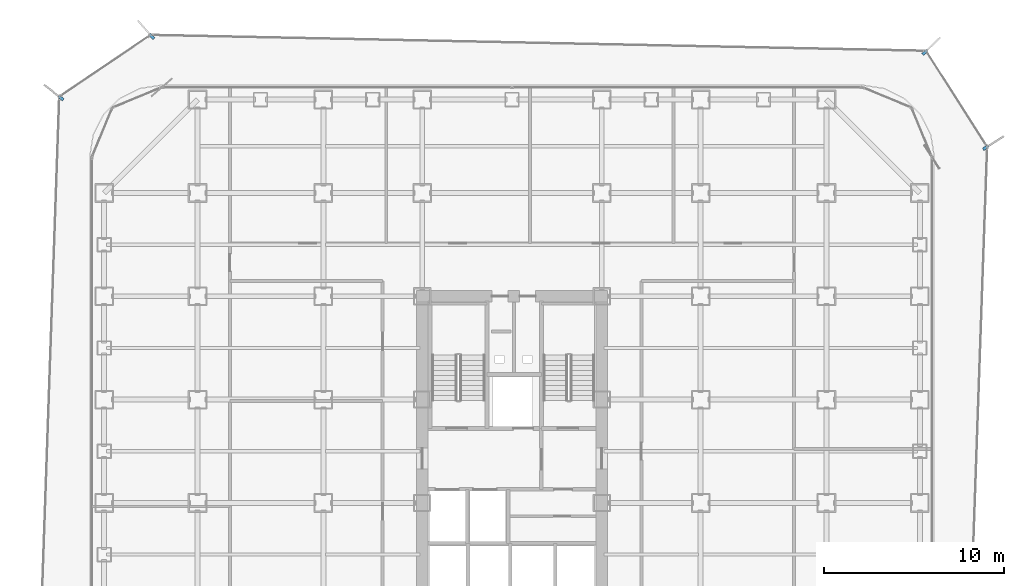
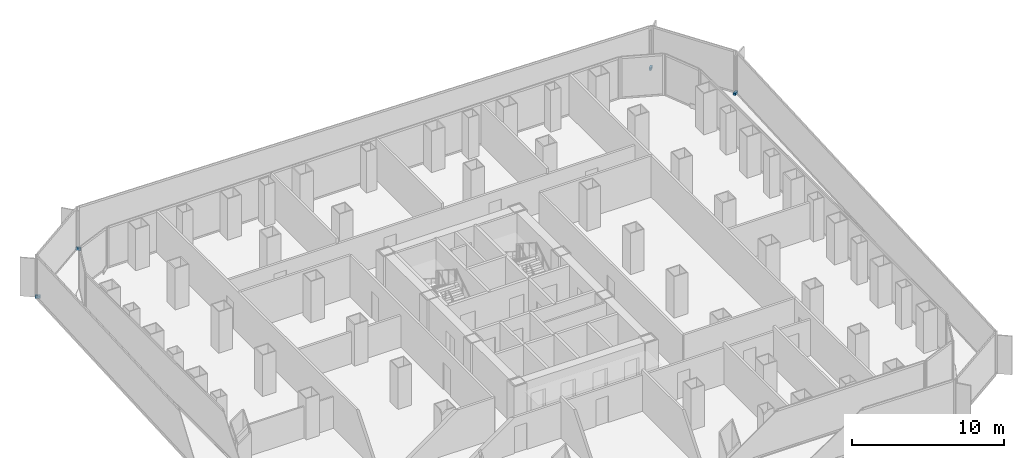
# One storey, part 19 of 22: 4 discrete accessories.
"""IFC4 building model written with IfcOpenShell, lengths in metres."""

from ifc_helpers import new_model, si_unit, direction, frame, origin, origin_2d, place, context, subcontext, project, spatial, rectangle, extrude, source, transform, mapped, material, type_object, element, save


model = new_model("IFC4")

# Units and contexts
model_context = context("Model", 3, precision=1e-05, world=origin(), true_north=direction((0.0, 1.0)))
body_context = subcontext(model_context, "Body", "Model", "MODEL_VIEW")
ifc_project = project(units=[si_unit("LENGTHUNIT", "METRE"), si_unit("AREAUNIT", "SQUARE_METRE"), si_unit("VOLUMEUNIT", "CUBIC_METRE"), si_unit("PLANEANGLEUNIT", "RADIAN"), si_unit("MASSUNIT", "GRAM", prefix="KILO")], contexts=[model_context])

# Site, building, storey
site_placement = place(None, origin())
site = spatial("IfcSite", under=ifc_project, at=site_placement, CompositionType="ELEMENT")
building_placement = place(site_placement, origin())
building = spatial("IfcBuilding", under=site, at=building_placement, Name="Kolveth Station Tower", CompositionType="ELEMENT")
storey_placement = place(building_placement, frame((0.0, 0.0, 65.699951171875)))
storey = spatial("IfcBuildingStorey", under=building, at=storey_placement, Name="L17", CompositionType="ELEMENT", Elevation=65.699951171875)

# Discrete accessories
ifc_material = material(Name="Steel S355", Category="steel")
discrete_accessory_type = type_object("IfcDiscreteAccessoryType", Name="Bracket_BK1", PredefinedType="BRACKET", material=ifc_material)
shared_shape = source(origin(), body_context, "Body", "SweptSolid", [
    extrude(rectangle(XDim=0.35009765625, YDim=0.159912109375, at=origin_2d()), origin(), (0.0, 0.0, 1.0), 0.219970703125),
])
for number, where, z_axis, x_axis, name in (
    (1, (49.868896484375, 37.027099609375, -0.06005859375), (0.0, 0.0, 1.0), (0.843672659607, 0.536857935987, 0.0), "L17 Double-Skin Radial Tie Bracket 3"),
    (2, (46.48193359375, 42.3369140625, -0.06005859375), (0.0, 0.0, 1.0), (0.721035021845, 0.692898619766, 0.0), "L17 Double-Skin Radial Tie Bracket 4"),
    (3, (3.447021484375, 43.215087890625, -0.06005859375), (0.0, 0.0, 1.0), (-0.657769720534, 0.753219088147, 0.0), "L17 Double-Skin Radial Tie Bracket 5"),
    (4, (-1.613037109375, 39.7958984375, -0.06005859375), (0.0, 0.0, 1.0), (-0.789191285809, 0.61414746959, 0.0), "L17 Double-Skin Radial Tie Bracket 6"),
):
    element("IfcDiscreteAccessory", number, at=place(storey_placement, frame(where, z_axis=z_axis, x_axis=x_axis)), inside=storey, type_object=discrete_accessory_type, Name=name, PredefinedType="BRACKET", context=body_context, shape_type="MappedRepresentation", body=[
        mapped(shared_shape, transform((0.0, 0.0, 0.0), x_axis=(1.0, 0.0, 0.0), y_axis=(0.0, 1.0, 0.0), z_axis=(0.0, 0.0, 1.0), scale=1.0)),
    ])

save(model, "model.ifc")
